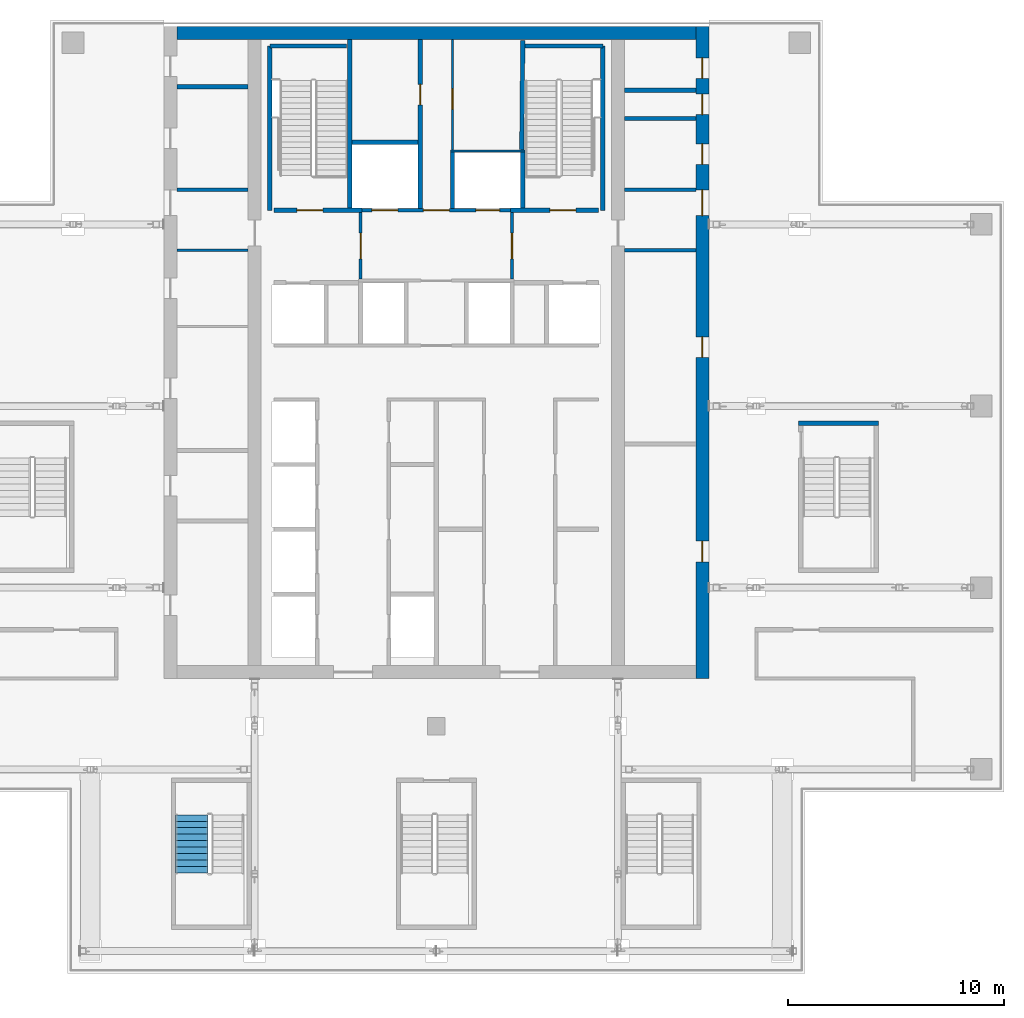
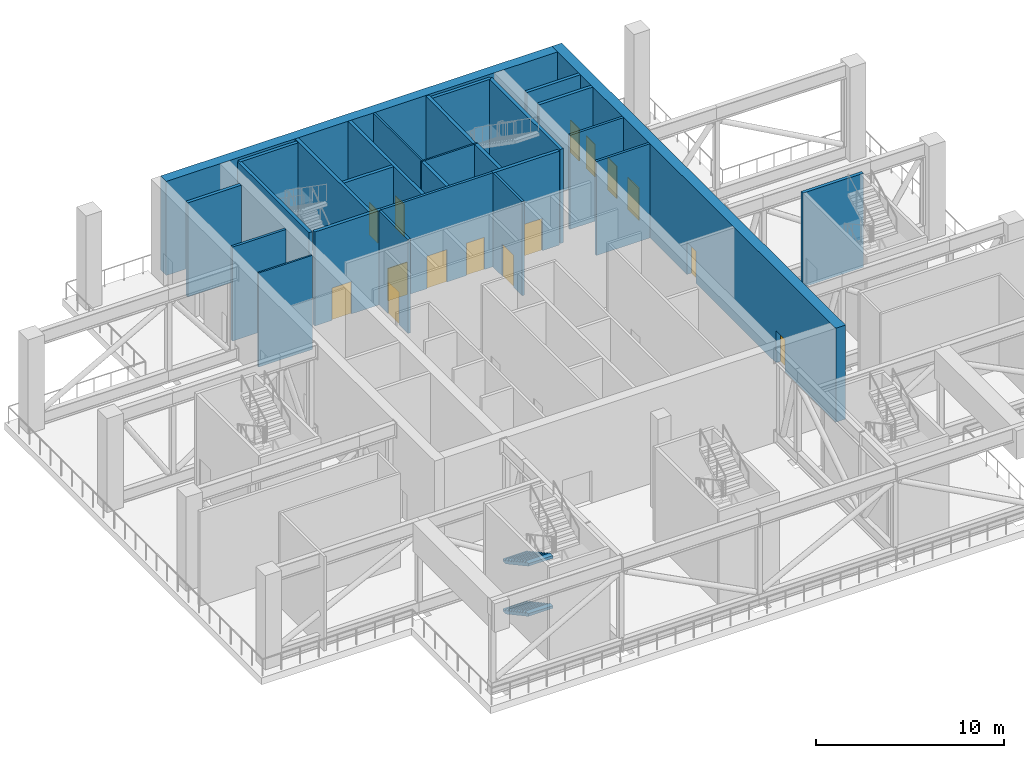
# One storey, part 19 of 24: 27 walls, 15 doors, 2 stair flights, 15 openings, 1 element without a shape of its own.
"""IFC4 building model written with IfcOpenShell, lengths in metres."""

from ifc_helpers import new_model, si_unit, direction, frame, frame_2d, origin, place, context, subcontext, project, spatial, polyline, rectangle, outline, extrude, material, layer, layer_set, type_object, element, fill, aggregate, save


model = new_model("IFC4")

# Units and contexts
model_context = context("Model", 3, precision=1e-05, world=origin(), true_north=direction((0.0, 1.0)))
body_context = subcontext(model_context, "Body", "Model", "MODEL_VIEW")
ifc_project = project(units=[si_unit("LENGTHUNIT", "METRE"), si_unit("AREAUNIT", "SQUARE_METRE"), si_unit("VOLUMEUNIT", "CUBIC_METRE"), si_unit("PLANEANGLEUNIT", "RADIAN"), si_unit("MASSUNIT", "GRAM", prefix="KILO")], contexts=[model_context])

# Site, building, storey
site_placement = place(None, origin())
site = spatial("IfcSite", under=ifc_project, at=site_placement, CompositionType="ELEMENT")
building_placement = place(site_placement, origin())
building = spatial("IfcBuilding", under=site, at=building_placement, Name="Vermilion Ogive Tower", CompositionType="ELEMENT")
storey_placement = place(building_placement, frame((0.0, 0.0, 216.949951171875)))
storey = spatial("IfcBuildingStorey", under=building, at=storey_placement, Name="L57", CompositionType="ELEMENT", Elevation=216.949951171875)

# Wall, openings, doors
ifc_material_1 = material(Name="Concrete B60", Category="concrete")
ifc_layer_1 = layer(ifc_material_1, 0.60009765625)
ifc_layer_set_1 = layer_set([ifc_layer_1], Name="Core wall 600 B60")
wall_type_1 = type_object("IfcWallType", Name="Core wall 600 B60", PredefinedType="SHEAR", material=ifc_layer_set_1)
wall_1_placement = place(storey_placement, frame((12.300048828125, -8.39990234375, 0.0), z_axis=(0.0, 0.0, 1.0), x_axis=(0.0, 1.0, 0.0)))
wall_1 = element("IfcWall", 1, at=wall_1_placement, inside=storey, type_object=wall_type_1, Name="L57-CORE-E", PredefinedType="SHEAR", context=body_context, shape_type="SweptSolid", body=[
    extrude(rectangle(XDim=30.14990234375, YDim=0.60009765625, at=frame_2d((15.074951171875, 0.0))), origin(), (0.0, 0.0, 1.0), 6.10009765625),
])
opening_1_placement = place(wall_1_placement, frame((5.398681640625, 0.0, 0.0)))
opening_1 = element("IfcOpeningElement", 2, at=opening_1_placement, cuts=wall_1, Name="Opening DAX006", PredefinedType="OPENING", context=body_context, shape_type="SweptSolid", body=[
    extrude(rectangle(XDim=0.949951171875, YDim=2.10009765625, at=frame_2d((0.47509765625, 1.050048828125))), frame((0.0, 0.31005859375, 0.0), z_axis=(0.0, -1.0, 0.0), x_axis=(1.0, 0.0, 0.0)), (0.0, 0.0, 1.0), 0.6201171875),
])
opening_2_placement = place(wall_1_placement, frame((14.8486328125, 0.0, 0.0)))
opening_2 = element("IfcOpeningElement", 3, at=opening_2_placement, cuts=wall_1, Name="Opening DAX007", PredefinedType="OPENING", context=body_context, shape_type="SweptSolid", body=[
    extrude(rectangle(XDim=0.949951171875, YDim=2.10009765625, at=frame_2d((0.47509765625, 1.050048828125))), frame((0.0, 0.31005859375, 0.0), z_axis=(0.0, -1.0, 0.0), x_axis=(1.0, 0.0, 0.0)), (0.0, 0.0, 1.0), 0.6201171875),
])
opening_3_placement = place(wall_1_placement, frame((23.772216796875, 0.0, 0.0)))
opening_3 = element("IfcOpeningElement", 4, at=opening_3_placement, cuts=wall_1, Name="Opening DAX008", PredefinedType="OPENING", context=body_context, shape_type="SweptSolid", body=[
    extrude(rectangle(XDim=0.949951171875, YDim=2.10009765625, at=frame_2d((0.47509765625, 1.050048828125))), frame((0.0, 0.31005859375, 0.0), z_axis=(0.0, -1.0, 0.0), x_axis=(1.0, 0.0, 0.0)), (0.0, 0.0, 1.0), 0.6201171875),
])
opening_4_placement = place(wall_1_placement, frame((26.07421875, 0.0, 0.0)))
opening_4 = element("IfcOpeningElement", 5, at=opening_4_placement, cuts=wall_1, Name="Opening DAX009", PredefinedType="OPENING", context=body_context, shape_type="SweptSolid", body=[
    extrude(rectangle(XDim=0.949951171875, YDim=2.10009765625, at=frame_2d((0.47509765625, 1.050048828125))), frame((0.0, 0.31005859375, 0.0), z_axis=(0.0, -1.0, 0.0), x_axis=(1.0, 0.0, 0.0)), (0.0, 0.0, 1.0), 0.6201171875),
])
opening_5_placement = place(wall_1_placement, frame((27.751953125, 0.0, 0.0)))
opening_5 = element("IfcOpeningElement", 6, at=opening_5_placement, cuts=wall_1, Name="Opening DAX010", PredefinedType="OPENING", context=body_context, shape_type="SweptSolid", body=[
    extrude(rectangle(XDim=0.949951171875, YDim=2.10009765625, at=frame_2d((0.47509765625, 1.050048828125))), frame((0.0, 0.31005859375, 0.0), z_axis=(0.0, -1.0, 0.0), x_axis=(1.0, 0.0, 0.0)), (0.0, 0.0, 1.0), 0.6201171875),
])
opening_6_placement = place(wall_1_placement, frame((21.39990234375, 0.0, 0.0)))
opening_6 = element("IfcOpeningElement", 7, at=opening_6_placement, cuts=wall_1, Name="Opening DBU002", PredefinedType="OPENING", context=body_context, shape_type="SweptSolid", body=[
    extrude(rectangle(XDim=1.199951171875, YDim=2.10009765625, at=frame_2d((0.60009765625, 1.050048828125))), frame((0.0, 0.31005859375, 0.0), z_axis=(0.0, -1.0, 0.0), x_axis=(1.0, 0.0, 0.0)), (0.0, 0.0, 1.0), 0.6201171875),
])
ifc_material_2 = material(Name="Timber door leaf", Category="wood")
door_type_1 = type_object("IfcDoorType", Name="Link door 1200 x 2100 FD60S", OperationType="SINGLE_SWING_LEFT", PredefinedType="DOOR", material=ifc_material_2)
door_1_placement = place(opening_6_placement, origin())
door_1 = element("IfcDoor", 8, at=door_1_placement, inside=storey, type_object=door_type_1, Name="L57-CKE-XL", OperationType="SINGLE_SWING_LEFT", OverallHeight=2.10009765625, OverallWidth=1.199951171875, PredefinedType="DOOR", context=body_context, shape_type="SweptSolid", body=[
    extrude(rectangle(XDim=1.199951171875, YDim=2.10009765625, at=frame_2d((0.60009765625, 1.050048828125))), frame((0.0, 0.02490234375, 0.0), z_axis=(0.0, -1.0, 0.0), x_axis=(1.0, 0.0, 0.0)), (0.0, 0.0, 1.0), 0.050048828125),
])
fill(opening_6, door_1)
ifc_material_3 = material(Name="Timber door leaf", Category="wood")
door_type_2 = type_object("IfcDoorType", Name="Service door 950 x 2100 FD60", OperationType="SINGLE_SWING_LEFT", PredefinedType="DOOR", material=ifc_material_3)
door_2_placement = place(opening_1_placement, origin())
door_2 = element("IfcDoor", 9, at=door_2_placement, inside=storey, type_object=door_type_2, Name="L57-CKE-XR0", OperationType="SINGLE_SWING_LEFT", OverallHeight=2.10009765625, OverallWidth=0.949951171875, PredefinedType="DOOR", context=body_context, shape_type="SweptSolid", body=[
    extrude(rectangle(XDim=0.949951171875, YDim=2.10009765625, at=frame_2d((0.47509765625, 1.050048828125))), frame((0.0, 0.02490234375, 0.0), z_axis=(0.0, -1.0, 0.0), x_axis=(1.0, 0.0, 0.0)), (0.0, 0.0, 1.0), 0.050048828125),
])
fill(opening_1, door_2)
door_3_placement = place(opening_2_placement, origin())
door_3 = element("IfcDoor", 10, at=door_3_placement, inside=storey, type_object=door_type_2, Name="L57-CKE-XR1", OperationType="SINGLE_SWING_LEFT", OverallHeight=2.10009765625, OverallWidth=0.949951171875, PredefinedType="DOOR", context=body_context, shape_type="SweptSolid", body=[
    extrude(rectangle(XDim=0.949951171875, YDim=2.10009765625, at=frame_2d((0.47509765625, 1.050048828125))), frame((0.0, 0.02490234375, 0.0), z_axis=(0.0, -1.0, 0.0), x_axis=(1.0, 0.0, 0.0)), (0.0, 0.0, 1.0), 0.050048828125),
])
fill(opening_2, door_3)
door_4_placement = place(opening_3_placement, origin())
door_4 = element("IfcDoor", 11, at=door_4_placement, inside=storey, type_object=door_type_2, Name="L57-CKE-XR2", OperationType="SINGLE_SWING_LEFT", OverallHeight=2.10009765625, OverallWidth=0.949951171875, PredefinedType="DOOR", context=body_context, shape_type="SweptSolid", body=[
    extrude(rectangle(XDim=0.949951171875, YDim=2.10009765625, at=frame_2d((0.47509765625, 1.050048828125))), frame((0.0, 0.02490234375, 0.0), z_axis=(0.0, -1.0, 0.0), x_axis=(1.0, 0.0, 0.0)), (0.0, 0.0, 1.0), 0.050048828125),
])
fill(opening_3, door_4)
door_5_placement = place(opening_4_placement, origin())
door_5 = element("IfcDoor", 12, at=door_5_placement, inside=storey, type_object=door_type_2, Name="L57-CKE-XR3", OperationType="SINGLE_SWING_LEFT", OverallHeight=2.10009765625, OverallWidth=0.949951171875, PredefinedType="DOOR", context=body_context, shape_type="SweptSolid", body=[
    extrude(rectangle(XDim=0.949951171875, YDim=2.10009765625, at=frame_2d((0.47509765625, 1.050048828125))), frame((0.0, 0.02490234375, 0.0), z_axis=(0.0, -1.0, 0.0), x_axis=(1.0, 0.0, 0.0)), (0.0, 0.0, 1.0), 0.050048828125),
])
fill(opening_4, door_5)
door_6_placement = place(opening_5_placement, origin())
door_6 = element("IfcDoor", 13, at=door_6_placement, inside=storey, type_object=door_type_2, Name="L57-CKE-XR4", OperationType="SINGLE_SWING_LEFT", OverallHeight=2.10009765625, OverallWidth=0.949951171875, PredefinedType="DOOR", context=body_context, shape_type="SweptSolid", body=[
    extrude(rectangle(XDim=0.949951171875, YDim=2.10009765625, at=frame_2d((0.47509765625, 1.050048828125))), frame((0.0, 0.02490234375, 0.0), z_axis=(0.0, -1.0, 0.0), x_axis=(1.0, 0.0, 0.0)), (0.0, 0.0, 1.0), 0.050048828125),
])
fill(opening_5, door_6)

# Walls
wall_2_placement = place(storey_placement, frame((-12.0, 21.449951171875, 0.0), z_axis=(0.0, 0.0, 1.0), x_axis=(1.0, 0.0, 0.0)))
element("IfcWall", 14, at=wall_2_placement, inside=storey, type_object=wall_type_1, Name="L57-CORE-N", PredefinedType="SHEAR", context=body_context, shape_type="SweptSolid", body=[
    extrude(rectangle(XDim=24.0, YDim=0.60009765625, at=frame_2d((12.0, 0.0))), origin(), (0.0, 0.0, 1.0), 6.10009765625),
])
ifc_material_4 = material(Name="Gypsum board partition on steel studs", Category="steel")
ifc_layer_2 = layer(ifc_material_4, 0.10009765625)
ifc_layer_set_2 = layer_set([ifc_layer_2], Name="Partition 100 bath")
wall_type_2 = type_object("IfcWallType", Name="Partition 100 bath", PredefinedType="PARTITIONING", material=ifc_layer_set_2)
wall_3_placement = place(storey_placement, frame((0.64990234375, 16.0, 0.0), z_axis=(0.0, 0.0, 1.0), x_axis=(1.0, 0.0, 0.0)))
element("IfcWall", 15, at=wall_3_placement, inside=storey, type_object=wall_type_2, Name="L57-CK-W-W018", PredefinedType="PARTITIONING", context=body_context, shape_type="SweptSolid", body=[
    extrude(rectangle(XDim=3.4501953125, YDim=0.10009765625, at=frame_2d((1.72509765625, 0.0))), origin(), (0.0, 0.0, 1.0), 6.10009765625),
])

# Wall, opening, door
wall_4_placement = place(storey_placement, frame((0.75, 16.050048828125, 0.0), z_axis=(0.0, 0.0, 1.0), x_axis=(0.0, 1.0, 0.0)))
wall_4 = element("IfcWall", 16, at=wall_4_placement, inside=storey, type_object=wall_type_2, Name="L57-CK-W-W030", PredefinedType="PARTITIONING", context=body_context, shape_type="SweptSolid", body=[
    extrude(rectangle(XDim=5.098876953125, YDim=0.10009765625, at=frame_2d((2.54931640625, 0.0))), origin(), (0.0, 0.0, 1.0), 6.10009765625),
])
opening_7_placement = place(wall_4_placement, frame((1.875, 0.0, 0.0)))
opening_7 = element("IfcOpeningElement", 17, at=opening_7_placement, cuts=wall_4, Name="Opening DAI037", PredefinedType="OPENING", context=body_context, shape_type="SweptSolid", body=[
    extrude(rectangle(XDim=0.949951171875, YDim=2.10009765625, at=frame_2d((0.47509765625, 1.050048828125))), frame((0.0, 0.06005859375, 0.0), z_axis=(0.0, -1.0, 0.0), x_axis=(1.0, 0.0, 0.0)), (0.0, 0.0, 1.0), 0.1201171875),
])
door_7_placement = place(opening_7_placement, origin())
door_7 = element("IfcDoor", 18, at=door_7_placement, inside=storey, type_object=door_type_2, Name="L57-CK-D-D022", OperationType="SINGLE_SWING_LEFT", OverallHeight=2.10009765625, OverallWidth=0.949951171875, PredefinedType="DOOR", context=body_context, shape_type="SweptSolid", body=[
    extrude(rectangle(XDim=0.949951171875, YDim=2.10009765625, at=frame_2d((0.47509765625, 1.050048828125))), frame((0.0, 0.02490234375, 0.0), z_axis=(0.0, -1.0, 0.0), x_axis=(1.0, 0.0, 0.0)), (0.0, 0.0, 1.0), 0.050048828125),
])
fill(opening_7, door_7)

# Wall
wall_5_placement = place(storey_placement, frame((-11.9990234375, 11.39990234375, 0.0), z_axis=(0.0, 0.0, 1.0), x_axis=(1.0, 0.0, 0.0)))
element("IfcWall", 19, at=wall_5_placement, inside=storey, type_object=wall_type_2, Name="L57-CKW-W-W004", PredefinedType="PARTITIONING", context=body_context, shape_type="SweptSolid", body=[
    extrude(rectangle(XDim=3.298095703125, YDim=0.10009765625, at=frame_2d((1.64892578125, 0.0))), origin(), (0.0, 0.0, 1.0), 6.10009765625),
])

# Wall, openings, doors
ifc_material_5 = material(Name="Gypsum board partition on steel studs", Category="steel")
ifc_layer_3 = layer(ifc_material_5, 0.14990234375)
ifc_layer_set_3 = layer_set([ifc_layer_3], Name="Partition 150 corridor")
wall_type_3 = type_object("IfcWallType", Name="Partition 150 corridor", PredefinedType="PARTITIONING", material=ifc_layer_set_3)
wall_6_placement = place(storey_placement, frame((-3.574951171875, 13.25, 0.0), z_axis=(0.0, 0.0, 1.0), x_axis=(1.0, 0.0, 0.0)))
wall_6 = element("IfcWall", 20, at=wall_6_placement, inside=storey, type_object=wall_type_3, Name="L57-CK-W-W016", PredefinedType="PARTITIONING", context=body_context, shape_type="SweptSolid", body=[
    extrude(rectangle(XDim=7.14990234375, YDim=0.14990234375, at=frame_2d((3.574951171875, 0.0))), origin(), (0.0, 0.0, 1.0), 6.10009765625),
])
opening_8_placement = place(wall_6_placement, frame((0.599853515625, 0.0, 0.0)))
opening_8 = element("IfcOpeningElement", 21, at=opening_8_placement, cuts=wall_6, Name="Opening DAI048", PredefinedType="OPENING", context=body_context, shape_type="SweptSolid", body=[
    extrude(rectangle(XDim=1.199951171875, YDim=2.10009765625, at=frame_2d((0.60009765625, 1.050048828125))), frame((0.0, 0.0849609375, 0.0), z_axis=(0.0, -1.0, 0.0), x_axis=(1.0, 0.0, 0.0)), (0.0, 0.0, 1.0), 0.169921875),
])
opening_9_placement = place(wall_6_placement, frame((5.39990234375, 0.0, 0.0)))
opening_9 = element("IfcOpeningElement", 22, at=opening_9_placement, cuts=wall_6, Name="Opening DAI047", PredefinedType="OPENING", context=body_context, shape_type="SweptSolid", body=[
    extrude(rectangle(XDim=1.10009765625, YDim=2.10009765625, at=frame_2d((0.550048828125, 1.050048828125))), frame((0.0, 0.0849609375, 0.0), z_axis=(0.0, -1.0, 0.0), x_axis=(1.0, 0.0, 0.0)), (0.0, 0.0, 1.0), 0.169921875),
])
opening_10_placement = place(wall_6_placement, frame((2.974853515625, 0.0, 0.0)))
opening_10 = element("IfcOpeningElement", 23, at=opening_10_placement, cuts=wall_6, Name="Opening DAI029", PredefinedType="OPENING", context=body_context, shape_type="SweptSolid", body=[
    extrude(rectangle(XDim=1.199951171875, YDim=2.10009765625, at=frame_2d((0.60009765625, 1.050048828125))), frame((0.0, 0.0849609375, 0.0), z_axis=(0.0, -1.0, 0.0), x_axis=(1.0, 0.0, 0.0)), (0.0, 0.0, 1.0), 0.169921875),
])
ifc_material_6 = material(Name="Stainless steel", Category="steel")
door_type_3 = type_object("IfcDoorType", Name="Lift landing door 1100 x 2100", OperationType="SLIDING_TO_LEFT", PredefinedType="DOOR", material=ifc_material_6)
door_8_placement = place(opening_9_placement, origin())
door_8 = element("IfcDoor", 24, at=door_8_placement, inside=storey, type_object=door_type_3, Name="L57-CK-D-D019", OperationType="SLIDING_TO_LEFT", OverallHeight=2.10009765625, OverallWidth=1.10009765625, PredefinedType="DOOR", context=body_context, shape_type="SweptSolid", body=[
    extrude(rectangle(XDim=1.10009765625, YDim=2.10009765625, at=frame_2d((0.550048828125, 1.050048828125))), frame((0.0, 0.02490234375, 0.0), z_axis=(0.0, -1.0, 0.0), x_axis=(1.0, 0.0, 0.0)), (0.0, 0.0, 1.0), 0.050048828125),
])
fill(opening_9, door_8)
ifc_material_7 = material(Name="Stainless steel", Category="steel")
door_type_4 = type_object("IfcDoorType", Name="Lift landing door 1200 x 2100", OperationType="SLIDING_TO_LEFT", PredefinedType="DOOR", material=ifc_material_7)
door_9_placement = place(opening_8_placement, origin())
door_9 = element("IfcDoor", 25, at=door_9_placement, inside=storey, type_object=door_type_4, Name="L57-CK-D-D018", OperationType="SLIDING_TO_RIGHT", OverallHeight=2.10009765625, OverallWidth=1.199951171875, PredefinedType="DOOR", context=body_context, shape_type="SweptSolid", body=[
    extrude(rectangle(XDim=1.199951171875, YDim=2.10009765625, at=frame_2d((0.60009765625, 1.050048828125))), frame((0.0, 0.02490234375, 0.0), z_axis=(0.0, -1.0, 0.0), x_axis=(1.0, 0.0, 0.0)), (0.0, 0.0, 1.0), 0.050048828125),
])
fill(opening_8, door_9)
ifc_material_8 = material(Name="Timber door leaf", Category="wood")
door_type_5 = type_object("IfcDoorType", Name="Service door 1200 x 2100 FD60", OperationType="SINGLE_SWING_LEFT", PredefinedType="DOOR", material=ifc_material_8)
door_10_placement = place(opening_10_placement, origin())
door_10 = element("IfcDoor", 26, at=door_10_placement, inside=storey, type_object=door_type_5, Name="L57-CK-D-D020", OperationType="SINGLE_SWING_RIGHT", OverallHeight=2.10009765625, OverallWidth=1.199951171875, PredefinedType="DOOR", context=body_context, shape_type="SweptSolid", body=[
    extrude(rectangle(XDim=1.199951171875, YDim=2.10009765625, at=frame_2d((0.60009765625, 1.050048828125))), frame((0.0, 0.02490234375, 0.0), z_axis=(0.0, -1.0, 0.0), x_axis=(1.0, 0.0, 0.0)), (0.0, 0.0, 1.0), 0.050048828125),
])
fill(opening_10, door_10)

# Wall, opening, door
wall_7_placement = place(storey_placement, frame((-3.5, 10.074951171875, 0.0), z_axis=(0.0, 0.0, 1.0), x_axis=(0.0, 1.0, 0.0)))
wall_7 = element("IfcWall", 27, at=wall_7_placement, inside=storey, type_object=wall_type_3, Name="L57-CK-W-W024", PredefinedType="PARTITIONING", context=body_context, shape_type="SweptSolid", body=[
    extrude(rectangle(XDim=3.074951171875, YDim=0.14990234375, at=frame_2d((1.53759765625, 0.0))), origin(), (0.0, 0.0, 1.0), 6.10009765625),
])
opening_11_placement = place(wall_7_placement, frame((0.925048828125, 0.0, 0.0)))
opening_11 = element("IfcOpeningElement", 28, at=opening_11_placement, cuts=wall_7, Name="Opening DAI025", PredefinedType="OPENING", context=body_context, shape_type="SweptSolid", body=[
    extrude(rectangle(XDim=1.199951171875, YDim=2.10009765625, at=frame_2d((0.60009765625, 1.050048828125))), frame((0.0, 0.0849609375, 0.0), z_axis=(0.0, -1.0, 0.0), x_axis=(1.0, 0.0, 0.0)), (0.0, 0.0, 1.0), 0.169921875),
])
ifc_material_9 = material(Name="Timber door leaf", Category="wood")
door_type_6 = type_object("IfcDoorType", Name="Lobby door 1200 x 2100 FD60S", OperationType="SINGLE_SWING_LEFT", PredefinedType="DOOR", material=ifc_material_9)
door_11_placement = place(opening_11_placement, origin())
door_11 = element("IfcDoor", 29, at=door_11_placement, inside=storey, type_object=door_type_6, Name="L57-CK-D-D023", OperationType="SINGLE_SWING_RIGHT", OverallHeight=2.10009765625, OverallWidth=1.199951171875, PredefinedType="DOOR", context=body_context, shape_type="SweptSolid", body=[
    extrude(rectangle(XDim=1.199951171875, YDim=2.10009765625, at=frame_2d((0.60009765625, 1.050048828125))), frame((0.0, 0.02490234375, 0.0), z_axis=(0.0, -1.0, 0.0), x_axis=(1.0, 0.0, 0.0)), (0.0, 0.0, 1.0), 0.050048828125),
])
fill(opening_11, door_11)

wall_8_placement = place(storey_placement, frame((3.5, 10.074951171875, 0.0), z_axis=(0.0, 0.0, 1.0), x_axis=(0.0, 1.0, 0.0)))
wall_8 = element("IfcWall", 30, at=wall_8_placement, inside=storey, type_object=wall_type_3, Name="L57-CK-W-W034", PredefinedType="PARTITIONING", context=body_context, shape_type="SweptSolid", body=[
    extrude(rectangle(XDim=3.074951171875, YDim=0.14990234375, at=frame_2d((1.53759765625, 0.0))), origin(), (0.0, 0.0, 1.0), 6.10009765625),
])
opening_12_placement = place(wall_8_placement, frame((0.925048828125, 0.0, 0.0)))
opening_12 = element("IfcOpeningElement", 31, at=opening_12_placement, cuts=wall_8, Name="Opening DAI026", PredefinedType="OPENING", context=body_context, shape_type="SweptSolid", body=[
    extrude(rectangle(XDim=1.199951171875, YDim=2.10009765625, at=frame_2d((0.60009765625, 1.050048828125))), frame((0.0, 0.0849609375, 0.0), z_axis=(0.0, -1.0, 0.0), x_axis=(1.0, 0.0, 0.0)), (0.0, 0.0, 1.0), 0.169921875),
])
door_12_placement = place(opening_12_placement, origin())
door_12 = element("IfcDoor", 32, at=door_12_placement, inside=storey, type_object=door_type_6, Name="L57-CK-D-D024", OperationType="SINGLE_SWING_LEFT", OverallHeight=2.10009765625, OverallWidth=1.199951171875, PredefinedType="DOOR", context=body_context, shape_type="SweptSolid", body=[
    extrude(rectangle(XDim=1.199951171875, YDim=2.10009765625, at=frame_2d((0.60009765625, 1.050048828125))), frame((0.0, 0.02490234375, 0.0), z_axis=(0.0, -1.0, 0.0), x_axis=(1.0, 0.0, 0.0)), (0.0, 0.0, 1.0), 0.050048828125),
])
fill(opening_12, door_12)

# Walls
for number, where, z_axis, x_axis, name in (
    (33, (-11.9990234375, 14.199951171875, 0.0), (0.0, 0.0, 1.0), (1.0, 0.0, 0.0), "L57-CKW-W-W005"),
    (34, (8.700927734375, 11.39990234375, 0.0), (0.0, 0.0, 1.0), (1.0, 0.0, 0.0), "L57-CKE-W-W002"),
    (35, (8.700927734375, 14.199951171875, 0.0), (0.0, 0.0, 1.0), (1.0, 0.0, 0.0), "L57-CKE-W-W003"),
):
    element("IfcWall", number, at=place(storey_placement, frame(where, z_axis=z_axis, x_axis=x_axis)), inside=storey, type_object=wall_type_3, Name=name, PredefinedType="PARTITIONING", context=body_context, shape_type="SweptSolid", body=[
        extrude(rectangle(XDim=3.298095703125, YDim=0.14990234375, at=frame_2d((1.64892578125, 0.0))), origin(), (0.0, 0.0, 1.0), 6.10009765625),
    ])
ifc_material_10 = material(Name="Gypsum board partition on steel studs", Category="steel")
ifc_layer_4 = layer(ifc_material_10, 0.199951171875)
ifc_layer_set_4 = layer_set([ifc_layer_4], Name="Partition 200 party")
wall_type_4 = type_object("IfcWallType", Name="Partition 200 party", PredefinedType="PARTITIONING", material=ifc_layer_set_4)
wall_9_placement = place(storey_placement, frame((-3.89990234375, 16.39990234375, 0.0), z_axis=(0.0, 0.0, 1.0), x_axis=(1.0, 0.0, 0.0)))
element("IfcWall", 36, at=wall_9_placement, inside=storey, type_object=wall_type_4, Name="L57-CK-W-W019", PredefinedType="PARTITIONING", context=body_context, shape_type="SweptSolid", body=[
    extrude(rectangle(XDim=3.0498046875, YDim=0.199951171875, at=frame_2d((1.52490234375, 0.0))), origin(), (0.0, 0.0, 1.0), 6.10009765625),
])

# Wall, opening, door
wall_10_placement = place(storey_placement, frame((-0.75, 13.324951171875, 0.0), z_axis=(0.0, 0.0, 1.0), x_axis=(0.0, 1.0, 0.0)))
wall_10 = element("IfcWall", 37, at=wall_10_placement, inside=storey, type_object=wall_type_4, Name="L57-CK-W-W027", PredefinedType="PARTITIONING", context=body_context, shape_type="SweptSolid", body=[
    extrude(rectangle(XDim=7.823974609375, YDim=0.199951171875, at=frame_2d((3.912109375, 0.0))), origin(), (0.0, 0.0, 1.0), 6.10009765625),
])
opening_13_placement = place(wall_10_placement, frame((4.800048828125, 0.0, 0.0)))
opening_13 = element("IfcOpeningElement", 38, at=opening_13_placement, cuts=wall_10, Name="Opening DAI036", PredefinedType="OPENING", context=body_context, shape_type="SweptSolid", body=[
    extrude(rectangle(XDim=0.949951171875, YDim=2.10009765625, at=frame_2d((0.47509765625, 1.050048828125))), frame((0.0, 0.10986328125, 0.0), z_axis=(0.0, -1.0, 0.0), x_axis=(1.0, 0.0, 0.0)), (0.0, 0.0, 1.0), 0.219970703125),
])
door_13_placement = place(opening_13_placement, origin())
door_13 = element("IfcDoor", 39, at=door_13_placement, inside=storey, type_object=door_type_2, Name="L57-CK-D-D021", OperationType="SINGLE_SWING_RIGHT", OverallHeight=2.10009765625, OverallWidth=0.949951171875, PredefinedType="DOOR", context=body_context, shape_type="SweptSolid", body=[
    extrude(rectangle(XDim=0.949951171875, YDim=2.10009765625, at=frame_2d((0.47509765625, 1.050048828125))), frame((0.0, 0.02490234375, 0.0), z_axis=(0.0, -1.0, 0.0), x_axis=(1.0, 0.0, 0.0)), (0.0, 0.0, 1.0), 0.050048828125),
])
fill(opening_13, door_13)

# Walls
wall_11_placement = place(storey_placement, frame((0.75, 13.324951171875, 0.0), z_axis=(0.0, 0.0, 1.0), x_axis=(0.0, 1.0, 0.0)))
element("IfcWall", 40, at=wall_11_placement, inside=storey, type_object=wall_type_4, Name="L57-CK-W-W029", PredefinedType="PARTITIONING", context=body_context, shape_type="SweptSolid", body=[
    extrude(rectangle(XDim=2.625, YDim=0.199951171875, at=frame_2d((1.3125, 0.0))), origin(), (0.0, 0.0, 1.0), 6.10009765625),
])
for number, where, z_axis, x_axis, name in (
    (41, (-11.9990234375, 18.9580078125, 0.0), (0.0, 0.0, 1.0), (1.0, 0.0, 0.0), "L57-CKW-W-W006"),
    (42, (8.700927734375, 17.493896484375, 0.0), (0.0, 0.0, 1.0), (1.0, 0.0, 0.0), "L57-CKE-W-W004"),
    (43, (8.700927734375, 18.803955078125, 0.0), (0.0, 0.0, 1.0), (1.0, 0.0, 0.0), "L57-CKE-W-W005"),
):
    element("IfcWall", number, at=place(storey_placement, frame(where, z_axis=z_axis, x_axis=x_axis)), inside=storey, type_object=wall_type_4, Name=name, PredefinedType="PARTITIONING", context=body_context, shape_type="SweptSolid", body=[
        extrude(rectangle(XDim=3.298095703125, YDim=0.199951171875, at=frame_2d((1.64892578125, 0.0))), origin(), (0.0, 0.0, 1.0), 6.10009765625),
    ])

# Wall, opening, door
ifc_material_11 = material(Name="Concrete B60", Category="concrete")
ifc_layer_5 = layer(ifc_material_11, 0.199951171875)
ifc_layer_set_5 = layer_set([ifc_layer_5], Name="Stair shaft wall 200 Concrete B60")
wall_type_5 = type_object("IfcWallType", Name="Stair shaft wall 200 Concrete B60", PredefinedType="SOLIDWALL", material=ifc_layer_set_5)
wall_12_placement = place(storey_placement, frame((-7.5, 13.25, 0.0), z_axis=(0.0, 0.0, 1.0), x_axis=(1.0, 0.0, 0.0)))
wall_12 = element("IfcWall", 44, at=wall_12_placement, inside=storey, type_object=wall_type_5, Name="L57-CK-W-W015", PredefinedType="SOLIDWALL", context=body_context, shape_type="SweptSolid", body=[
    extrude(rectangle(XDim=4.074951171875, YDim=0.199951171875, at=frame_2d((2.03759765625, 0.0))), origin(), (0.0, 0.0, 1.0), 6.10009765625),
])
opening_14_placement = place(wall_12_placement, frame((1.050048828125, 0.0, 0.0)))
opening_14 = element("IfcOpeningElement", 45, at=opening_14_placement, cuts=wall_12, Name="Opening DAI038", PredefinedType="OPENING", context=body_context, shape_type="SweptSolid", body=[
    extrude(rectangle(XDim=1.199951171875, YDim=2.10009765625, at=frame_2d((0.60009765625, 1.050048828125))), frame((0.0, 0.10986328125, 0.0), z_axis=(0.0, -1.0, 0.0), x_axis=(1.0, 0.0, 0.0)), (0.0, 0.0, 1.0), 0.219970703125),
])
ifc_material_12 = material(Name="Timber door leaf", Category="wood")
door_type_7 = type_object("IfcDoorType", Name="Stair door 1200 x 2100 FD60S", OperationType="SINGLE_SWING_LEFT", PredefinedType="DOOR", material=ifc_material_12)
door_14_placement = place(opening_14_placement, origin())
door_14 = element("IfcDoor", 46, at=door_14_placement, inside=storey, type_object=door_type_7, Name="L57-CK-D-D012", OperationType="SINGLE_SWING_LEFT", OverallHeight=2.10009765625, OverallWidth=1.199951171875, PredefinedType="DOOR", context=body_context, shape_type="SweptSolid", body=[
    extrude(rectangle(XDim=1.199951171875, YDim=2.10009765625, at=frame_2d((0.60009765625, 1.050048828125))), frame((0.0, 0.02490234375, 0.0), z_axis=(0.0, -1.0, 0.0), x_axis=(1.0, 0.0, 0.0)), (0.0, 0.0, 1.0), 0.050048828125),
])
fill(opening_14, door_14)

wall_13_placement = place(storey_placement, frame((3.425048828125, 13.25, 0.0), z_axis=(0.0, 0.0, 1.0), x_axis=(1.0, 0.0, 0.0)))
wall_13 = element("IfcWall", 47, at=wall_13_placement, inside=storey, type_object=wall_type_5, Name="L57-CK-W-W017", PredefinedType="SOLIDWALL", context=body_context, shape_type="SweptSolid", body=[
    extrude(rectangle(XDim=4.074951171875, YDim=0.199951171875, at=frame_2d((2.03759765625, 0.0))), origin(), (0.0, 0.0, 1.0), 6.10009765625),
])
opening_15_placement = place(wall_13_placement, frame((1.824951171875, 0.0, 0.0)))
opening_15 = element("IfcOpeningElement", 48, at=opening_15_placement, cuts=wall_13, Name="Opening DAI039", PredefinedType="OPENING", context=body_context, shape_type="SweptSolid", body=[
    extrude(rectangle(XDim=1.199951171875, YDim=2.10009765625, at=frame_2d((0.60009765625, 1.050048828125))), frame((0.0, 0.10986328125, 0.0), z_axis=(0.0, -1.0, 0.0), x_axis=(1.0, 0.0, 0.0)), (0.0, 0.0, 1.0), 0.219970703125),
])
door_15_placement = place(opening_15_placement, origin())
door_15 = element("IfcDoor", 49, at=door_15_placement, inside=storey, type_object=door_type_7, Name="L57-CK-D-D014", OperationType="SINGLE_SWING_RIGHT", OverallHeight=2.10009765625, OverallWidth=1.199951171875, PredefinedType="DOOR", context=body_context, shape_type="SweptSolid", body=[
    extrude(rectangle(XDim=1.199951171875, YDim=2.10009765625, at=frame_2d((0.60009765625, 1.050048828125))), frame((0.0, 0.02490234375, 0.0), z_axis=(0.0, -1.0, 0.0), x_axis=(1.0, 0.0, 0.0)), (0.0, 0.0, 1.0), 0.050048828125),
])
fill(opening_15, door_15)

# Walls
wall_14_placement = place(storey_placement, frame((-4.0, 13.35009765625, 0.0), z_axis=(0.0, 0.0, 1.0), x_axis=(0.0, 1.0, 0.0)))
element("IfcWall", 50, at=wall_14_placement, inside=storey, type_object=wall_type_5, Name="L57-CK-W-W022", PredefinedType="SOLIDWALL", context=body_context, shape_type="SweptSolid", body=[
    extrude(rectangle(XDim=7.798828125, YDim=0.199951171875, at=frame_2d((3.8994140625, 0.0))), origin(), (0.0, 0.0, 1.0), 6.10009765625),
])
wall_15_placement = place(storey_placement, frame((4.0, 13.35009765625, 0.0), z_axis=(0.0, 0.0, 1.0), x_axis=(0.0, 1.0, 0.0)))
element("IfcWall", 51, at=wall_15_placement, inside=storey, type_object=wall_type_5, Name="L57-CK-W-W035", PredefinedType="SOLIDWALL", context=body_context, shape_type="SweptSolid", body=[
    extrude(rectangle(XDim=2.599853515625, YDim=0.199951171875, at=frame_2d((1.2998046875, 0.0))), origin(), (0.0, 0.0, 1.0), 6.10009765625),
])
wall_16_placement = place(storey_placement, frame((3.949951171875, 16.050048828125, 0.0), z_axis=(0.0, 0.0, 1.0), x_axis=(0.009911993103, 0.99995087499, 0.0)))
element("IfcWall", 52, at=wall_16_placement, inside=storey, type_object=wall_type_5, Name="L57-CK-W-W036", PredefinedType="SOLIDWALL", context=body_context, shape_type="SweptSolid", body=[
    extrude(rectangle(XDim=5.04931640625, YDim=0.199951171875, at=frame_2d((2.524658203125, 0.0))), origin(), (0.0, 0.0, 1.0), 6.10009765625),
])
wall_17_placement = place(storey_placement, frame((16.75, 3.39990234375, 0.0), z_axis=(0.0, 0.0, 1.0), x_axis=(1.0, 0.0, 0.0)))
element("IfcWall", 53, at=wall_17_placement, inside=storey, type_object=wall_type_5, Name="L57-SW-ST8-N1", PredefinedType="SOLIDWALL", context=body_context, shape_type="SweptSolid", body=[
    extrude(rectangle(XDim=3.699951171875, YDim=0.199951171875, at=frame_2d((1.85009765625, 0.0))), origin(), (0.0, 0.0, 1.0), 6.10009765625),
])
wall_18_placement = place(storey_placement, frame((-7.699951171875, 13.25, 0.0), z_axis=(0.0, 0.0, 1.0), x_axis=(0.0, 1.0, 0.0)))
element("IfcWall", 54, at=wall_18_placement, inside=storey, type_object=wall_type_5, Name="L57-SW-R017-W1", PredefinedType="SOLIDWALL", context=body_context, shape_type="SweptSolid", body=[
    extrude(rectangle(XDim=7.60009765625, YDim=0.199951171875, at=frame_2d((3.800048828125, 0.0))), origin(), (0.0, 0.0, 1.0), 6.10009765625),
])
wall_19_placement = place(storey_placement, frame((-7.699951171875, 20.85009765625, 0.0), z_axis=(0.0, 0.0, 1.0), x_axis=(1.0, 0.0, 0.0)))
element("IfcWall", 55, at=wall_19_placement, inside=storey, type_object=wall_type_5, Name="L57-SW-R017-N1", PredefinedType="SOLIDWALL", context=body_context, shape_type="SweptSolid", body=[
    extrude(rectangle(XDim=3.550048828125, YDim=0.199951171875, at=frame_2d((1.77490234375, 0.0))), origin(), (0.0, 0.0, 1.0), 6.10009765625),
])
wall_20_placement = place(storey_placement, frame((7.699951171875, 13.25, 0.0), z_axis=(0.0, 0.0, 1.0), x_axis=(0.0, 1.0, 0.0)))
element("IfcWall", 56, at=wall_20_placement, inside=storey, type_object=wall_type_5, Name="L57-SW-R021-E1", PredefinedType="SOLIDWALL", context=body_context, shape_type="SweptSolid", body=[
    extrude(rectangle(XDim=7.60009765625, YDim=0.199951171875, at=frame_2d((3.800048828125, 0.0))), origin(), (0.0, 0.0, 1.0), 6.10009765625),
])
wall_21_placement = place(storey_placement, frame((4.10009765625, 20.85009765625, 0.0), z_axis=(0.0, 0.0, 1.0), x_axis=(1.0, 0.0, 0.0)))
element("IfcWall", 57, at=wall_21_placement, inside=storey, type_object=wall_type_5, Name="L57-SW-R021-N1", PredefinedType="SOLIDWALL", context=body_context, shape_type="SweptSolid", body=[
    extrude(rectangle(XDim=3.599853515625, YDim=0.199951171875, at=frame_2d((1.7998046875, 0.0))), origin(), (0.0, 0.0, 1.0), 6.10009765625),
])

# Stair, stair flights
ifc_material_13 = material(Name="Concrete B40", Category="concrete")
stair_type = type_object("IfcStairType", Name="Exit stair 1500", PredefinedType="HALF_TURN_STAIR", material=ifc_material_13)
stair_placement = place(storey_placement, origin())
stair = element("IfcStair", 58, at=stair_placement, inside=storey, type_object=stair_type, Name="L57 Exit Stair ST3", PredefinedType="HALF_TURN_STAIR")
ifc_material_14 = material(Name="Concrete B40", Category="concrete")
stair_flight_type = type_object("IfcStairFlightType", Name="Stair flight 1500", PredefinedType="STRAIGHT", material=ifc_material_14)
stair_flight_1_placement = place(storey_placement, frame((-11.300048828125, -14.699951171875, 0.0), z_axis=(0.0, 0.0, 1.0), x_axis=(0.0, -1.0, 0.0)))
stair_flight_1 = element("IfcStairFlight", 59, at=stair_flight_1_placement, type_object=stair_flight_type, Name="ST3 flight 1", NumberOfRisers=10, NumberOfTreads=9, PredefinedType="STRAIGHT", RiserHeight=0.1625, TreadLength=0.3, context=body_context, shape_type="SweptSolid", body=[
    extrude(outline(polyline([(0.0, 0.0), (0.0, 0.16259765625), (0.300048828125, 0.16259765625), (0.300048828125, 0.324951171875), (0.60009765625, 0.324951171875), (0.60009765625, 0.487548828125), (0.89990234375, 0.487548828125), (0.89990234375, 0.64990234375), (1.199951171875, 0.64990234375), (1.199951171875, 0.8125), (1.5, 0.8125), (1.5, 0.97509765625), (1.800048828125, 0.97509765625), (1.800048828125, 1.137451171875), (2.10009765625, 1.137451171875), (2.10009765625, 1.300048828125), (2.39990234375, 1.300048828125), (2.39990234375, 1.46240234375), (2.699951171875, 1.46240234375), (2.699951171875, 1.625), (2.699951171875, 1.2919921875), (0.314697265625, 0.0), (0.0, 0.0)])), frame((0.0, 0.75, 0.0), z_axis=(0.0, -1.0, 0.0), x_axis=(1.0, 0.0, 0.0)), (0.0, 0.0, 1.0), 1.5),
])
stair_flight_2_placement = place(storey_placement, frame((-11.300048828125, -14.699951171875, 3.25), z_axis=(0.0, 0.0, 1.0), x_axis=(0.0, -1.0, 0.0)))
stair_flight_2 = element("IfcStairFlight", 60, at=stair_flight_2_placement, type_object=stair_flight_type, Name="ST3 flight 3", NumberOfRisers=10, NumberOfTreads=9, PredefinedType="STRAIGHT", RiserHeight=0.1625, TreadLength=0.3, context=body_context, shape_type="SweptSolid", body=[
    extrude(outline(polyline([(0.0, 0.0), (0.0, 0.16259765625), (0.300048828125, 0.16259765625), (0.300048828125, 0.324951171875), (0.60009765625, 0.324951171875), (0.60009765625, 0.487548828125), (0.89990234375, 0.487548828125), (0.89990234375, 0.64990234375), (1.199951171875, 0.64990234375), (1.199951171875, 0.8125), (1.5, 0.8125), (1.5, 0.97509765625), (1.800048828125, 0.97509765625), (1.800048828125, 1.137451171875), (2.10009765625, 1.137451171875), (2.10009765625, 1.300048828125), (2.39990234375, 1.300048828125), (2.39990234375, 1.46240234375), (2.699951171875, 1.46240234375), (2.699951171875, 1.625), (2.699951171875, 1.2919921875), (0.314697265625, 0.0), (0.0, 0.0)])), frame((0.0, 0.75, 0.0), z_axis=(0.0, -1.0, 0.0), x_axis=(1.0, 0.0, 0.0)), (0.0, 0.0, 1.0), 1.5),
])
aggregate(stair, [stair_flight_1, stair_flight_2])

save(model, "model.ifc")
